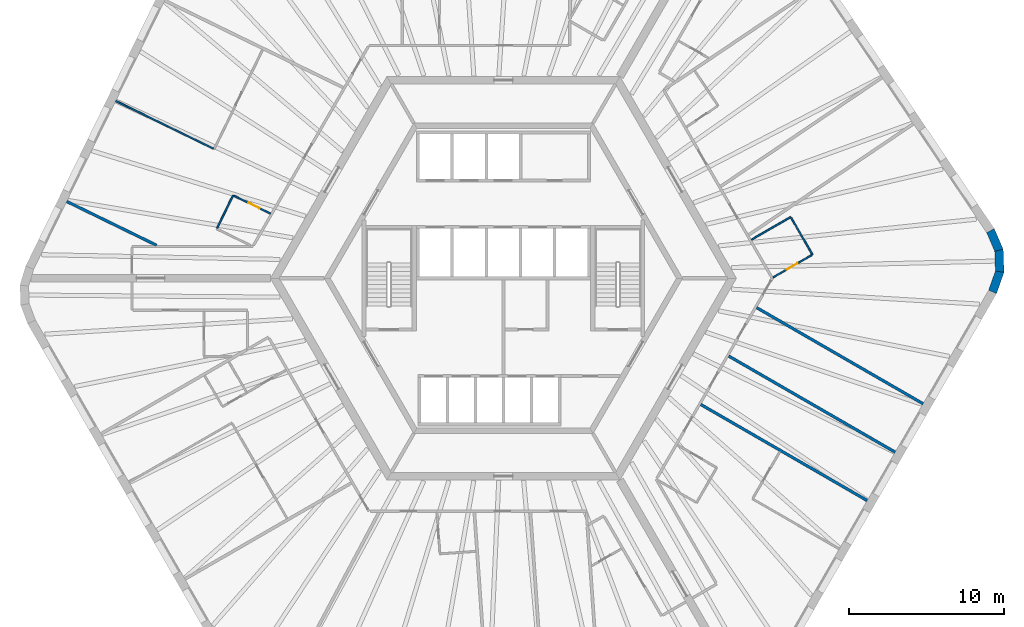
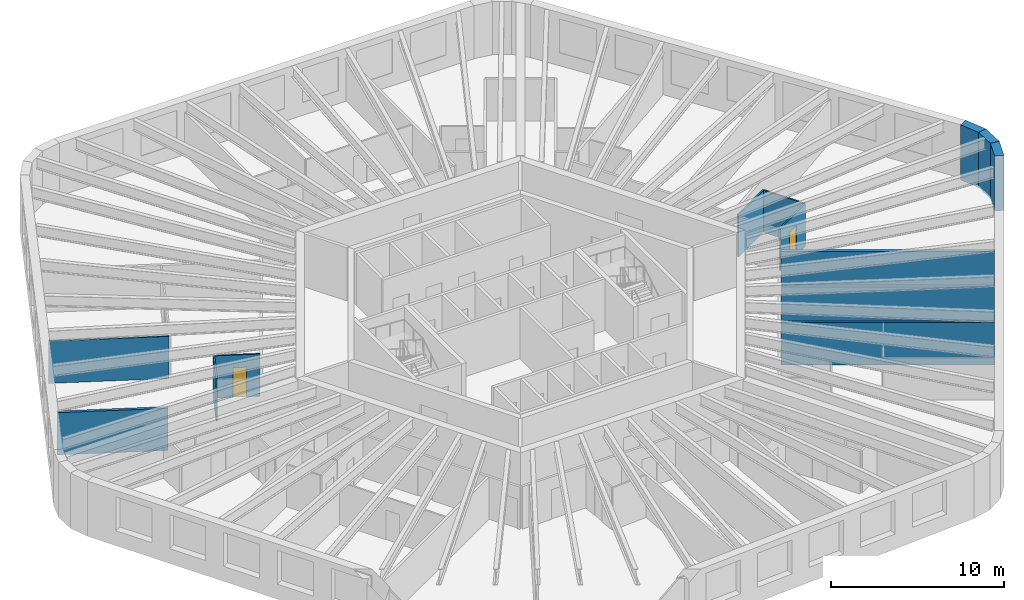
# One storey, part 6 of 10: 13 walls, 2 doors, 2 openings.
"""IFC4 building model written with IfcOpenShell, lengths in metres."""

from ifc_helpers import new_model, si_unit, direction, frame, frame_2d, origin, place, context, subcontext, project, spatial, polyline, rectangle, outline, extrude, material, layer, layer_set, type_object, element, fill, save


model = new_model("IFC4")

# Units and contexts
model_context = context("Model", 3, precision=1e-05, world=origin(), true_north=direction((0.0, 1.0)))
body_context = subcontext(model_context, "Body", "Model", "MODEL_VIEW")
ifc_project = project(units=[si_unit("LENGTHUNIT", "METRE"), si_unit("AREAUNIT", "SQUARE_METRE"), si_unit("VOLUMEUNIT", "CUBIC_METRE"), si_unit("PLANEANGLEUNIT", "RADIAN"), si_unit("MASSUNIT", "GRAM", prefix="KILO")], contexts=[model_context])

# Site, building, storey
site_placement = place(None, origin())
site = spatial("IfcSite", under=ifc_project, at=site_placement, CompositionType="ELEMENT")
building_placement = place(site_placement, origin())
building = spatial("IfcBuilding", under=site, at=building_placement, Name="Tarnside Tower", CompositionType="ELEMENT")
storey_placement = place(building_placement, frame((0.0, 0.0, 203.39990234375)))
storey = spatial("IfcBuildingStorey", under=building, at=storey_placement, Name="L48", CompositionType="ELEMENT", Elevation=203.39990234375)

# Wall
ifc_material_1 = material(Name="Gypsum board partition on steel studs", Category="steel")
ifc_layer_1 = layer(ifc_material_1, 0.10009765625)
ifc_layer_set_1 = layer_set([ifc_layer_1], Name="Bathroom wall 100")
wall_type_1 = type_object("IfcWallType", Name="Bathroom wall 100", PredefinedType="PARTITIONING", material=ifc_layer_set_1)
wall_1_placement = place(storey_placement, frame((-18.442138671875, 3.22998046875, 0.0), z_axis=(0.0, 0.0, 1.0), x_axis=(0.438339704034, 0.898809381275, 0.0)))
element("IfcWall", 1, at=wall_1_placement, inside=storey, type_object=wall_type_1, Name="Bathroom wall 15066", PredefinedType="PARTITIONING", context=body_context, shape_type="SweptSolid", body=[
    extrude(rectangle(XDim=2.349853515625, YDim=0.10009765625, at=frame_2d((1.1748046875, 0.0))), origin(), (0.0, 0.0, 1.0), 2.98779296875),
])

# Wall, opening, door
wall_2_placement = place(storey_placement, frame((-17.3671875, 5.3203125, 0.0), z_axis=(0.0, 0.0, 1.0), x_axis=(0.898798752769, -0.438361496965, 0.0)))
wall_2 = element("IfcWall", 2, at=wall_2_placement, inside=storey, type_object=wall_type_1, Name="Bathroom wall 15067", PredefinedType="PARTITIONING", context=body_context, shape_type="SweptSolid", body=[
    extrude(rectangle(XDim=2.632080078125, YDim=0.10009765625, at=frame_2d((1.31591796875, 0.0))), origin(), (0.0, 0.0, 1.0), 2.98779296875),
])
opening_1_placement = place(wall_2_placement, frame((1.050048828125, 0.0, 0.0)))
opening_1 = element("IfcOpeningElement", 3, at=opening_1_placement, cuts=wall_2, Name="Opening D-B1", PredefinedType="OPENING", context=body_context, shape_type="SweptSolid", body=[
    extrude(rectangle(XDim=0.800048828125, YDim=2.10009765625, at=frame_2d((0.39990234375, 1.050048828125))), frame((0.0, 0.06005859375, 0.0), z_axis=(0.0, -1.0, 0.0), x_axis=(1.0, 0.0, 0.0)), (0.0, 0.0, 1.0), 0.1201171875),
])
ifc_material_2 = material(Name="Timber door leaf", Category="wood")
door_type = type_object("IfcDoorType", Name="Bathroom door 800", OperationType="NOTDEFINED", PredefinedType="DOOR", material=ifc_material_2)
door_1_placement = place(opening_1_placement, origin())
door_1 = element("IfcDoor", 4, at=door_1_placement, inside=storey, type_object=door_type, Name="Bathroom door 15009", OperationType="SINGLE_SWING_LEFT", OverallHeight=2.10009765625, OverallWidth=0.800048828125, PredefinedType="DOOR", context=body_context, shape_type="SweptSolid", body=[
    extrude(rectangle(XDim=0.800048828125, YDim=2.10009765625, at=frame_2d((0.39990234375, 1.050048828125))), frame((0.0, 0.02490234375, 0.0), z_axis=(0.0, -1.0, 0.0), x_axis=(1.0, 0.0, 0.0)), (0.0, 0.0, 1.0), 0.050048828125),
])
fill(opening_1, door_1)

# Walls
wall_3_placement = place(storey_placement, frame((15.972900390625, 2.484375, 0.0), z_axis=(0.0, 0.0, 1.0), x_axis=(0.866025730634, 0.499999433879, 0.0)))
element("IfcWall", 5, at=wall_3_placement, inside=storey, type_object=wall_type_1, Name="Bathroom wall 15103", PredefinedType="PARTITIONING", context=body_context, shape_type="SweptSolid", body=[
    extrude(rectangle(XDim=2.9248046875, YDim=0.10009765625, at=frame_2d((1.46240234375, 0.0))), origin(), (0.0, 0.0, 1.0), 2.98779296875),
])
wall_4_placement = place(storey_placement, frame((18.531005859375, 3.903564453125, 0.0), z_axis=(0.0, 0.0, 1.0), x_axis=(0.499996545922, -0.866027397988, 0.0)))
element("IfcWall", 6, at=wall_4_placement, inside=storey, type_object=wall_type_1, Name="Bathroom wall 15104", PredefinedType="PARTITIONING", context=body_context, shape_type="SweptSolid", body=[
    extrude(rectangle(XDim=2.75, YDim=0.10009765625, at=frame_2d((1.375, 0.0))), origin(), (0.0, 0.0, 1.0), 2.98779296875),
])

# Wall, opening, door
wall_5_placement = place(storey_placement, frame((19.862548828125, 1.496826171875, 0.0), z_axis=(0.0, 0.0, 1.0), x_axis=(-0.866018712932, -0.500011588718, 0.0)))
wall_5 = element("IfcWall", 7, at=wall_5_placement, inside=storey, type_object=wall_type_1, Name="Bathroom wall 15105", PredefinedType="PARTITIONING", context=body_context, shape_type="SweptSolid", body=[
    extrude(rectangle(XDim=2.875, YDim=0.10009765625, at=frame_2d((1.4375, 0.0))), origin(), (0.0, 0.0, 1.0), 2.98779296875),
])
opening_2_placement = place(wall_5_placement, frame((1.050048828125, 0.0, 0.0)))
opening_2 = element("IfcOpeningElement", 8, at=opening_2_placement, cuts=wall_5, Name="Opening D-B1", PredefinedType="OPENING", context=body_context, shape_type="SweptSolid", body=[
    extrude(rectangle(XDim=0.800048828125, YDim=2.10009765625, at=frame_2d((0.39990234375, 1.050048828125))), frame((0.0, 0.06005859375, 0.0), z_axis=(0.0, -1.0, 0.0), x_axis=(1.0, 0.0, 0.0)), (0.0, 0.0, 1.0), 0.1201171875),
])
door_2_placement = place(opening_2_placement, origin())
door_2 = element("IfcDoor", 9, at=door_2_placement, inside=storey, type_object=door_type, Name="Bathroom door 15031", OperationType="SINGLE_SWING_RIGHT", OverallHeight=2.10009765625, OverallWidth=0.800048828125, PredefinedType="DOOR", context=body_context, shape_type="SweptSolid", body=[
    extrude(rectangle(XDim=0.800048828125, YDim=2.10009765625, at=frame_2d((0.39990234375, 1.050048828125))), frame((0.0, 0.02490234375, 0.0), z_axis=(0.0, -1.0, 0.0), x_axis=(1.0, 0.0, 0.0)), (0.0, 0.0, 1.0), 0.050048828125),
])
fill(opening_2, door_2)

# Walls
ifc_layer_2 = layer(ifc_material_1, 0.179931640625)
ifc_layer_set_2 = layer_set([ifc_layer_2], Name="Demising wall 180 EI 60")
wall_type_2 = type_object("IfcWallType", Name="Demising wall 180 EI 60", PredefinedType="PARTITIONING", material=ifc_layer_set_2)
wall_6_placement = place(storey_placement, frame((-28.127197265625, 4.948974609375, 0.0), z_axis=(0.0, 0.0, 1.0), x_axis=(0.898795032868, -0.438369124017, 0.0)))
element("IfcWall", 10, at=wall_6_placement, inside=storey, type_object=wall_type_2, Name="Demising wall 15070", PredefinedType="PARTITIONING", context=body_context, shape_type="SweptSolid", body=[
    extrude(rectangle(XDim=6.44189453125, YDim=0.179931640625, at=frame_2d((3.220947265625, 0.0))), origin(), (0.0, 0.0, 1.0), 2.98779296875),
])
wall_7_placement = place(storey_placement, frame((23.431396484375, -14.315673828125, 0.0), z_axis=(0.0, 0.0, 1.0), x_axis=(-0.866024931941, 0.500000817256, 0.0)))
element("IfcWall", 11, at=wall_7_placement, inside=storey, type_object=wall_type_2, Name="Demising wall 15099", PredefinedType="PARTITIONING", context=body_context, shape_type="SweptSolid", body=[
    extrude(rectangle(XDim=12.375, YDim=0.179931640625, at=frame_2d((6.1875, 0.0))), origin(), (0.0, 0.0, 1.0), 2.98779296875),
])
wall_8_placement = place(storey_placement, frame((25.2314453125, -11.197998046875, 0.0), z_axis=(0.0, 0.0, 1.0), x_axis=(-0.866029863972, 0.499992274648, 0.0)))
element("IfcWall", 12, at=wall_8_placement, inside=storey, type_object=wall_type_2, Name="Demising wall 15101", PredefinedType="PARTITIONING", context=body_context, shape_type="SweptSolid", body=[
    extrude(rectangle(XDim=12.375244140625, YDim=0.179931640625, at=frame_2d((6.1875, 0.0))), origin(), (0.0, 0.0, 1.0), 2.98779296875),
])
wall_9_placement = place(storey_placement, frame((27.03125, -8.080322265625, 0.0), z_axis=(0.0, 0.0, 1.0), x_axis=(-0.866024931941, 0.500000817256, 0.0)))
element("IfcWall", 13, at=wall_9_placement, inside=storey, type_object=wall_type_2, Name="Demising wall 15102", PredefinedType="PARTITIONING", context=body_context, shape_type="SweptSolid", body=[
    extrude(rectangle(XDim=12.375, YDim=0.179931640625, at=frame_2d((6.1875, 0.0))), origin(), (0.0, 0.0, 1.0), 2.98779296875),
])
ifc_layer_3 = layer(ifc_material_1, 0.10009765625)
ifc_layer_set_3 = layer_set([ifc_layer_3], Name="Partition 100")
wall_type_3 = type_object("IfcWallType", Name="Partition 100", PredefinedType="PARTITIONING", material=ifc_layer_set_3)
wall_10_placement = place(storey_placement, frame((-18.671875, 8.347900390625, 0.0), z_axis=(0.0, 0.0, 1.0), x_axis=(-0.898793888698, 0.438371469919, 0.0)))
element("IfcWall", 14, at=wall_10_placement, inside=storey, type_object=wall_type_3, Name="Partition wall 15069", PredefinedType="PARTITIONING", context=body_context, shape_type="SweptSolid", body=[
    extrude(rectangle(XDim=7.00830078125, YDim=0.10009765625, at=frame_2d((3.504150390625, 0.0))), origin(), (0.0, 0.0, 1.0), 2.98779296875),
])
ifc_material_3 = material(Name="Facing brick", Category="masonry")
ifc_layer_4 = layer(ifc_material_3, 0.10205078125)
ifc_material_4 = material(Name="Concrete C60/75 precast", Category="concrete")
ifc_layer_5 = layer(ifc_material_4, 0.347900390625)
ifc_material_5 = material(Name="Mineral wool insulation")
ifc_layer_6 = layer(ifc_material_5, 0.10009765625)
ifc_layer_set_4 = layer_set([ifc_layer_4, ifc_layer_5, ifc_layer_6], Name="Tube wall 550 brick faced")
wall_type_4 = type_object("IfcWallType", Name="Tube wall 550 brick faced", PredefinedType="SOLIDWALL", material=ifc_layer_set_4)
wall_11_placement = place(storey_placement, frame((31.509033203125, -0.874755859375, -0.14990234375), z_axis=(0.0, 0.0, 1.0), x_axis=(0.33111537203, 0.943590276765, 0.0)))
element("IfcWall", 15, at=wall_11_placement, inside=storey, type_object=wall_type_4, Name="Tube wall L48 F5 chord 17", PredefinedType="SOLIDWALL", context=body_context, shape_type="SweptSolid", body=[
    extrude(outline(polyline([(-0.025634765625, -0.27490234375), (1.4306640625, -0.27490234375), (1.3271484375, 0.27490234375), (0.025634765625, 0.27490234375), (-0.025634765625, -0.27490234375)])), origin(), (0.0, 0.0, 1.0), 3.89990234375),
])
wall_12_placement = place(storey_placement, frame((31.965576171875, 0.42626953125, -0.14990234375), z_axis=(0.0, 0.0, 1.0), x_axis=(-0.034876908462, 0.999391615562, 0.0)))
element("IfcWall", 16, at=wall_12_placement, inside=storey, type_object=wall_type_4, Name="Tube wall L48 F5 chord 18", PredefinedType="SOLIDWALL", context=body_context, shape_type="SweptSolid", body=[
    extrude(outline(polyline([(-0.0517578125, -0.27490234375), (1.4306640625, -0.27490234375), (1.3271484375, 0.27490234375), (0.0517578125, 0.27490234375), (-0.0517578125, -0.27490234375)])), origin(), (0.0, 0.0, 1.0), 3.89990234375),
])
wall_13_placement = place(storey_placement, frame((31.91748046875, 1.804443359375, -0.14990234375), z_axis=(0.0, 0.0, 1.0), x_axis=(-0.396225741392, 0.918153125496, 0.0)))
element("IfcWall", 17, at=wall_13_placement, inside=storey, type_object=wall_type_4, Name="Tube wall L48 F5 chord 19", PredefinedType="SOLIDWALL", context=body_context, shape_type="SweptSolid", body=[
    extrude(outline(polyline([(-0.0517578125, -0.27490234375), (1.404541015625, -0.27490234375), (1.353271484375, 0.27490234375), (0.0517578125, 0.27490234375), (-0.0517578125, -0.27490234375)])), origin(), (0.0, 0.0, 1.0), 3.89990234375),
])

save(model, "model.ifc")
